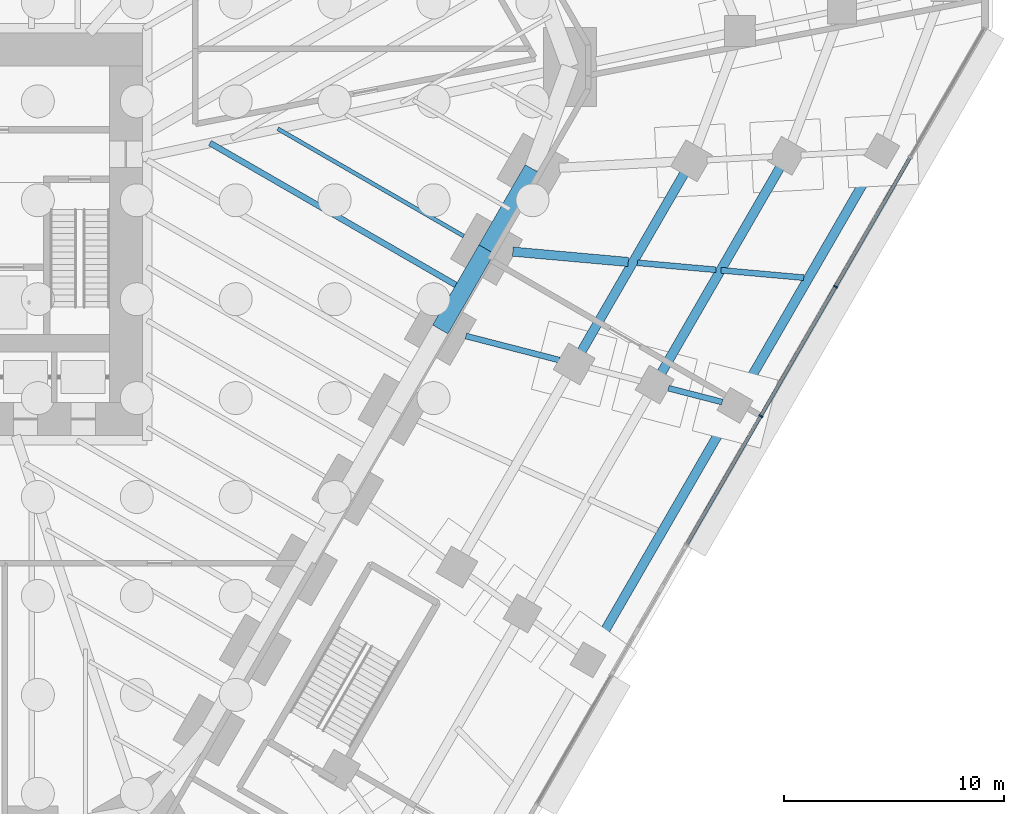
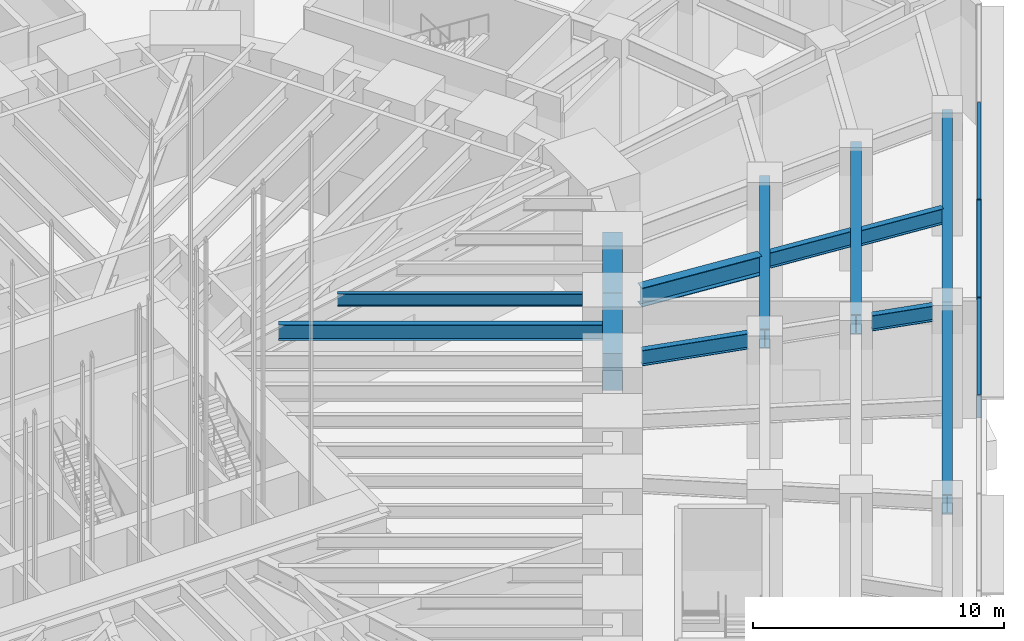
# One storey, part 10 of 34: 13 beams, 5 members, 1 element without a shape of its own.
"""IFC4 building model written with IfcOpenShell, lengths in metres."""

from ifc_helpers import new_model, si_unit, direction, frame, origin, origin_2d, place, context, subcontext, project, spatial, rectangle, i_section, extrude, material, material_profile, profile_set, type_object, element, aggregate, save


model = new_model("IFC4")

# Units and contexts
model_context = context("Model", 3, precision=1e-05, world=origin(), true_north=direction((0.0, 1.0)))
body_context = subcontext(model_context, "Body", "Model", "MODEL_VIEW")
ifc_project = project(units=[si_unit("LENGTHUNIT", "METRE"), si_unit("AREAUNIT", "SQUARE_METRE"), si_unit("VOLUMEUNIT", "CUBIC_METRE"), si_unit("PLANEANGLEUNIT", "RADIAN"), si_unit("MASSUNIT", "GRAM", prefix="KILO")], contexts=[model_context])

# Site, building, storey
site_placement = place(None, origin())
site = spatial("IfcSite", under=ifc_project, at=site_placement, CompositionType="ELEMENT")
building_placement = place(site_placement, origin())
building = spatial("IfcBuilding", under=site, at=building_placement, Name="Sandreach Pilgrim Tower", CompositionType="ELEMENT")
storey_placement = place(building_placement, origin())
storey = spatial("IfcBuildingStorey", under=building, at=storey_placement, Name="L00", CompositionType="ELEMENT", Elevation=0.0)

# Curtain wall, members
ifc_material_1 = material(Name="Aluminium framed curtain wall", Category="aluminium")
curtain_wall_type = type_object("IfcCurtainWallType", Name="Podium storefront curtain wall", PredefinedType="NOTDEFINED", material=ifc_material_1)
curtain_wall_placement = place(storey_placement, origin())
curtain_wall = element("IfcCurtainWall", 1, at=curtain_wall_placement, inside=storey, type_object=curtain_wall_type, Name="CW-P L00 SEA", PredefinedType="NOTDEFINED")
ifc_material_2 = material(Name="Aluminium extrusion", Category="aluminium")
ifc_material_profile_1 = material_profile(ifc_material_2, rectangle(XDim=0.070068359375, YDim=0.199951171875, at=origin_2d()), Name="CW-PM 70X200")
ifc_profile_set_1 = profile_set([ifc_material_profile_1], Name="Aluminium extrusion")
member_type_1 = type_object("IfcMemberType", Name="CW-P mullion", PredefinedType="MULLION", material=ifc_profile_set_1)
member_1_placement = place(storey_placement, frame((40.78662109375, -3.926513671875, 0.0), z_axis=(0.0, 0.0, 1.0), x_axis=(-0.5, -0.866025403784, 0.0)))
member_1 = element("IfcMember", 2, at=member_1_placement, type_object=member_type_1, Name="CW-P mullion 3", PredefinedType="MULLION", context=body_context, shape_type="SweptSolid", body=[
    extrude(rectangle(XDim=0.070068359375, YDim=0.199951171875, at=origin_2d()), origin(), (0.0, 0.0, 1.0), 5.840087890625),
])
member_2_placement = place(storey_placement, frame((37.387939453125, -9.81298828125, 0.0), z_axis=(0.0, 0.0, 1.0), x_axis=(-0.5, -0.866025403784, 0.0)))
member_2 = element("IfcMember", 3, at=member_2_placement, type_object=member_type_1, Name="CW-P mullion 4", PredefinedType="MULLION", context=body_context, shape_type="SweptSolid", body=[
    extrude(rectangle(XDim=0.070068359375, YDim=0.199951171875, at=origin_2d()), origin(), (0.0, 0.0, 1.0), 5.840087890625),
])
ifc_material_3 = material(Name="Aluminium extrusion", Category="aluminium")
ifc_material_profile_2 = material_profile(ifc_material_3, rectangle(XDim=0.159912109375, YDim=0.070068359375, at=origin_2d()), Name="CW-PT 160X70")
ifc_profile_set_2 = profile_set([ifc_material_profile_2], Name="Aluminium extrusion")
member_type_2 = type_object("IfcMemberType", Name="CW-P transom", PredefinedType="USERDEFINED", material=ifc_profile_set_2)
member_3_placement = place(storey_placement, frame((44.167724609375, 1.9296875, 5.804931640625), z_axis=(-0.499991576468, -0.866030267058, 0.0), x_axis=(0.866030267058, -0.499991576468, 0.0)))
member_3 = element("IfcMember", 4, at=member_3_placement, type_object=member_type_2, Name="CW-P head transom 2", ObjectType="TRANSOM", PredefinedType="USERDEFINED", context=body_context, shape_type="SweptSolid", body=[
    extrude(rectangle(XDim=0.159912109375, YDim=0.070068359375, at=origin_2d()), origin(), (0.0, 0.0, 1.0), 6.72705078125),
])
member_4_placement = place(storey_placement, frame((40.76904296875, -3.956787109375, 5.804931640625), z_axis=(-0.499991576468, -0.866030267058, 0.0), x_axis=(0.866030267058, -0.499991576468, 0.0)))
member_4 = element("IfcMember", 5, at=member_4_placement, type_object=member_type_2, Name="CW-P head transom 3", ObjectType="TRANSOM", PredefinedType="USERDEFINED", context=body_context, shape_type="SweptSolid", body=[
    extrude(rectangle(XDim=0.159912109375, YDim=0.070068359375, at=origin_2d()), origin(), (0.0, 0.0, 1.0), 6.72705078125),
])
member_5_placement = place(storey_placement, frame((37.37060546875, -9.84326171875, 5.804931640625), z_axis=(-0.500007714596, -0.866020949715, 0.0), x_axis=(0.866020949715, -0.500007714596, 0.0)))
member_5 = element("IfcMember", 6, at=member_5_placement, type_object=member_type_2, Name="CW-P head transom 4", ObjectType="TRANSOM", PredefinedType="USERDEFINED", context=body_context, shape_type="SweptSolid", body=[
    extrude(rectangle(XDim=0.159912109375, YDim=0.070068359375, at=origin_2d()), origin(), (0.0, 0.0, 1.0), 6.6923828125),
])
aggregate(curtain_wall, [member_1, member_2, member_3, member_4, member_5])

# Beams
ifc_material_4 = material(Name="Steel ASTM A992 Grade 50", Category="steel")
ifc_material_profile_3 = material_profile(ifc_material_4, i_section(OverallWidth=0.1787109375, OverallDepth=0.60205078125, WebThickness=0.010986328125, FlangeThickness=0.014892578125, at=origin_2d()), Name="W24X62")
ifc_profile_set_3 = profile_set([ifc_material_profile_3], Name="Steel ASTM A992 Grade 50")
beam_type_1 = type_object("IfcBeamType", Name="Floor beam W24X62", PredefinedType="BEAM", material=ifc_profile_set_3)
beam_1_placement = place(storey_placement, frame((23.8720703125, -1.629638671875, 5.5390625), z_axis=(-0.866025751498, 0.499999397742, 0.0), x_axis=(-0.499999397742, -0.866025751498, 0.0)))
element("IfcBeam", 7, at=beam_1_placement, inside=storey, type_object=beam_type_1, Name="BM L00 F15", PredefinedType="BEAM", context=body_context, shape_type="SweptSolid", body=[
    extrude(i_section(OverallWidth=0.1787109375, OverallDepth=0.60205078125, WebThickness=0.010986328125, FlangeThickness=0.014892578125, at=origin_2d()), origin(), (0.0, 0.0, 1.0), 9.767578125),
])
ifc_material_5 = material(Name="Steel ASTM A992 Grade 50", Category="steel")
ifc_material_profile_4 = material_profile(ifc_material_5, i_section(OverallWidth=0.2666015625, OverallDepth=0.761962890625, WebThickness=0.014404296875, FlangeThickness=0.021484375, at=origin_2d()), Name="W30X116")
ifc_profile_set_4 = profile_set([ifc_material_profile_4], Name="Steel ASTM A992 Grade 50")
beam_type_2 = type_object("IfcBeamType", Name="Floor beam W30X116", PredefinedType="BEAM", material=ifc_profile_set_4)
beam_2_placement = place(storey_placement, frame((23.85888671875, -4.052490234375, 5.458984375), z_axis=(-0.866029213426, 0.499993401449, 0.0), x_axis=(-0.499993401449, -0.866029213426, 0.0)))
element("IfcBeam", 8, at=beam_2_placement, inside=storey, type_object=beam_type_2, Name="BM L00 FM15", PredefinedType="BEAM", context=body_context, shape_type="SweptSolid", body=[
    extrude(i_section(OverallWidth=0.2666015625, OverallDepth=0.761962890625, WebThickness=0.014404296875, FlangeThickness=0.021484375, at=origin_2d()), origin(), (0.0, 0.0, 1.0), 13.311767578125),
])
ifc_material_6 = material(Name="Steel ASTM A992 Grade 50", Category="steel")
ifc_material_profile_5 = material_profile(ifc_material_6, i_section(OverallWidth=0.2666015625, OverallDepth=0.7568359375, WebThickness=0.013916015625, FlangeThickness=0.019287109375, at=origin_2d()), Name="W30X108")
ifc_profile_set_5 = profile_set([ifc_material_profile_5], Name="Steel ASTM A992 Grade 50")
beam_type_3 = type_object("IfcBeamType", Name="Podium beam W30X108", PredefinedType="BEAM", material=ifc_profile_set_5)
beam_3_placement = place(storey_placement, frame((23.968505859375, -6.1748046875, 5.46142578125), z_axis=(0.9683748542, -0.249499783074, 0.0), x_axis=(0.249499783074, 0.9683748542, 0.0)))
element("IfcBeam", 9, at=beam_3_placement, inside=storey, type_object=beam_type_3, Name="BM L00 PR125-16", PredefinedType="BEAM", context=body_context, shape_type="SweptSolid", body=[
    extrude(i_section(OverallWidth=0.2666015625, OverallDepth=0.7568359375, WebThickness=0.013916015625, FlangeThickness=0.019287109375, at=origin_2d()), origin(), (0.0, 0.0, 1.0), 4.392578125),
])
beam_4_placement = place(storey_placement, frame((31.77880859375, -2.84423828125, 5.46142578125), z_axis=(0.996016774874, -0.089166048305, 0.0), x_axis=(0.089166048305, 0.996016774874, 0.0)))
element("IfcBeam", 10, at=beam_4_placement, inside=storey, type_object=beam_type_3, Name="BM L00 PR140-15", PredefinedType="BEAM", context=body_context, shape_type="SweptSolid", body=[
    extrude(i_section(OverallWidth=0.2666015625, OverallDepth=0.7568359375, WebThickness=0.013916015625, FlangeThickness=0.019287109375, at=origin_2d()), origin(), (0.0, 0.0, 1.0), 3.583984375),
])
beam_5_placement = place(storey_placement, frame((35.576416015625, -3.18408203125, 5.37158203125), z_axis=(0.996016124982, -0.089173307527, 0.0), x_axis=(0.089173307527, 0.996016124982, 0.0)))
element("IfcBeam", 11, at=beam_5_placement, inside=storey, type_object=beam_type_3, Name="BM L00 PR155-15", PredefinedType="BEAM", context=body_context, shape_type="SweptSolid", body=[
    extrude(i_section(OverallWidth=0.2666015625, OverallDepth=0.7568359375, WebThickness=0.013916015625, FlangeThickness=0.019287109375, at=origin_2d()), origin(), (0.0, 0.0, 1.0), 3.781005859375),
])
beam_6_placement = place(storey_placement, frame((33.185791015625, -8.549560546875, 5.37158203125), z_axis=(0.968394924163, -0.24942187325, 0.0), x_axis=(0.24942187325, 0.968394924163, 0.0)))
element("IfcBeam", 12, at=beam_6_placement, inside=storey, type_object=beam_type_3, Name="BM L00 PR155-16", PredefinedType="BEAM", context=body_context, shape_type="SweptSolid", body=[
    extrude(i_section(OverallWidth=0.2666015625, OverallDepth=0.7568359375, WebThickness=0.013916015625, FlangeThickness=0.019287109375, at=origin_2d()), origin(), (0.0, 0.0, 1.0), 2.525390625),
])
ifc_material_7 = material(Name="Steel ASTM A992 Grade 50", Category="steel")
ifc_material_profile_6 = material_profile(ifc_material_7, i_section(OverallWidth=0.419189453125, OverallDepth=0.927001953125, WebThickness=0.019287109375, FlangeThickness=0.031982421875, at=origin_2d()), Name="W36X231")
ifc_profile_set_6 = profile_set([ifc_material_profile_6], Name="Steel ASTM A992 Grade 50")
beam_type_4 = type_object("IfcBeamType", Name="Podium beam W36X231", PredefinedType="BEAM", material=ifc_profile_set_6)
beam_7_placement = place(storey_placement, frame((26.106689453125, -2.336669921875, 5.37646484375), z_axis=(0.996020541278, -0.089123966209, 0.0), x_axis=(0.089123966209, 0.996020541278, 0.0)))
element("IfcBeam", 13, at=beam_7_placement, inside=storey, type_object=beam_type_4, Name="BM L00 PR125-15", PredefinedType="BEAM", context=body_context, shape_type="SweptSolid", body=[
    extrude(i_section(OverallWidth=0.419189453125, OverallDepth=0.927001953125, WebThickness=0.019287109375, FlangeThickness=0.031982421875, at=origin_2d()), origin(), (0.0, 0.0, 1.0), 5.2705078125),
])
ifc_material_8 = material(Name="Steel ASTM A992 Grade 50", Category="steel")
ifc_material_profile_7 = material_profile(ifc_material_8, i_section(OverallWidth=0.424072265625, OverallDepth=0.947509765625, WebThickness=0.02392578125, FlangeThickness=0.042724609375, at=origin_2d()), Name="W36X302")
ifc_profile_set_7 = profile_set([ifc_material_profile_7], Name="Steel ASTM A992 Grade 50")
beam_type_5 = type_object("IfcBeamType", Name="Podium edge beam W36X302", PredefinedType="BEAM", material=ifc_profile_set_7)
beam_8_placement = place(storey_placement, frame((34.23486328125, 1.794677734375, 5.3662109375), z_axis=(-0.500000418093, -0.866025162398, 0.0), x_axis=(0.866025162398, -0.500000418093, 0.0)))
element("IfcBeam", 14, at=beam_8_placement, inside=storey, type_object=beam_type_5, Name="BM L00 PE125-14", PredefinedType="BEAM", context=body_context, shape_type="SweptSolid", body=[
    extrude(i_section(OverallWidth=0.424072265625, OverallDepth=0.947509765625, WebThickness=0.02392578125, FlangeThickness=0.042724609375, at=origin_2d()), origin(), (0.0, 0.0, 1.0), 10.66943359375),
])
ifc_material_9 = material(Name="Steel ASTM A992 Grade 50", Category="steel")
ifc_material_profile_8 = material_profile(ifc_material_9, i_section(OverallWidth=0.4267578125, OverallDepth=0.975341796875, WebThickness=0.031005859375, FlangeThickness=0.055908203125, at=origin_2d()), Name="W36X395")
ifc_profile_set_8 = profile_set([ifc_material_profile_8], Name="Steel ASTM A992 Grade 50")
beam_type_6 = type_object("IfcBeamType", Name="Podium edge beam W36X395", PredefinedType="BEAM", material=ifc_profile_set_8)
beam_9_placement = place(storey_placement, frame((38.56591796875, 2.021728515625, 5.352294921875), z_axis=(-0.500010226345, -0.866019499521, 0.0), x_axis=(0.866019499521, -0.500010226345, 0.0)))
element("IfcBeam", 15, at=beam_9_placement, inside=storey, type_object=beam_type_6, Name="BM L00 PE140-14", PredefinedType="BEAM", context=body_context, shape_type="SweptSolid", body=[
    extrude(i_section(OverallWidth=0.4267578125, OverallDepth=0.975341796875, WebThickness=0.031005859375, FlangeThickness=0.055908203125, at=origin_2d()), origin(), (0.0, 0.0, 1.0), 12.019287109375),
])
for number, where, z_axis, x_axis, name in (
    (16, (42.89697265625, 2.248779296875, 5.26220703125), (-0.499996450449, -0.866027453109, 0.0), (0.866027453109, -0.499996450449, 0.0), "BM L00 PE155-14"),
    (17, (36.21240234375, -9.329345703125, 5.26220703125), (-0.500004357924, -0.866022887721, 0.0), (0.866022887721, -0.500004357924, 0.0), "BM L00 PE155-16"),
):
    element("IfcBeam", number, at=place(storey_placement, frame(where, z_axis=z_axis, x_axis=x_axis)), inside=storey, type_object=beam_type_6, Name=name, PredefinedType="BEAM", context=body_context, shape_type="SweptSolid", body=[
        extrude(i_section(OverallWidth=0.4267578125, OverallDepth=0.975341796875, WebThickness=0.031005859375, FlangeThickness=0.055908203125, at=origin_2d()), origin(), (0.0, 0.0, 1.0), 13.369140625),
    ])
ifc_material_10 = material(Name="Concrete 10000 psi", Category="concrete")
ifc_material_profile_9 = material_profile(ifc_material_10, rectangle(XDim=0.800048828125, YDim=1.800048828125, at=origin_2d()), Name="RC800X1800")
ifc_profile_set_9 = profile_set([ifc_material_profile_9], Name="Concrete 10000 psi")
beam_type_7 = type_object("IfcBeamType", Name="Spandrel beam RC800X1800", PredefinedType="SPANDREL", material=ifc_profile_set_9)
beam_10_placement = place(storey_placement, frame((27.016357421875, 1.416259765625, 4.93994140625), z_axis=(-0.499993523031, -0.866029143232, 0.0), x_axis=(0.866029143232, -0.499993523031, 0.0)))
element("IfcBeam", 18, at=beam_10_placement, inside=storey, type_object=beam_type_7, Name="BM L00 SP14", PredefinedType="SPANDREL", context=body_context, shape_type="SweptSolid", body=[
    extrude(rectangle(XDim=0.800048828125, YDim=1.800048828125, at=origin_2d()), origin(), (0.0, 0.0, 1.0), 4.2099609375),
])
beam_11_placement = place(storey_placement, frame((24.911376953125, -2.229736328125, 4.93994140625), z_axis=(-0.50001863446, -0.866014644907, 0.0), x_axis=(0.866014644907, -0.50001863446, 0.0)))
element("IfcBeam", 19, at=beam_11_placement, inside=storey, type_object=beam_type_7, Name="BM L00 SP15", PredefinedType="SPANDREL", context=body_context, shape_type="SweptSolid", body=[
    extrude(rectangle(XDim=0.800048828125, YDim=1.800048828125, at=origin_2d()), origin(), (0.0, 0.0, 1.0), 4.209716796875),
])

save(model, "model.ifc")
